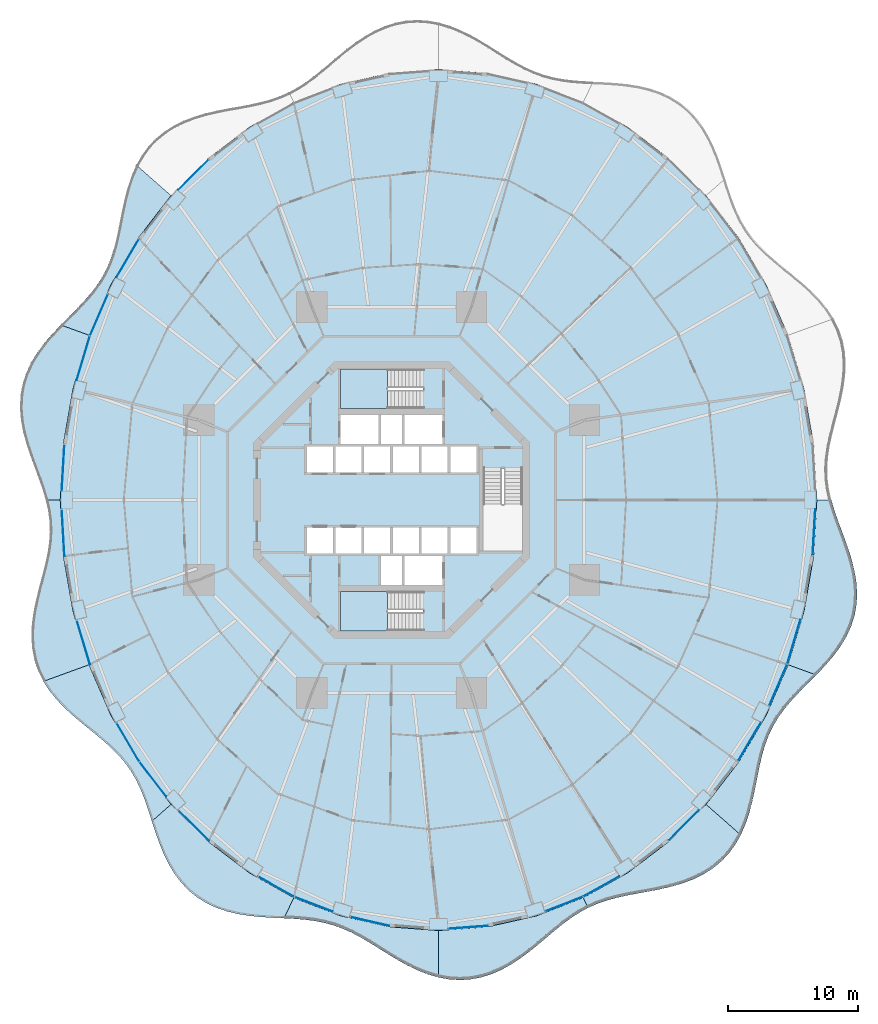
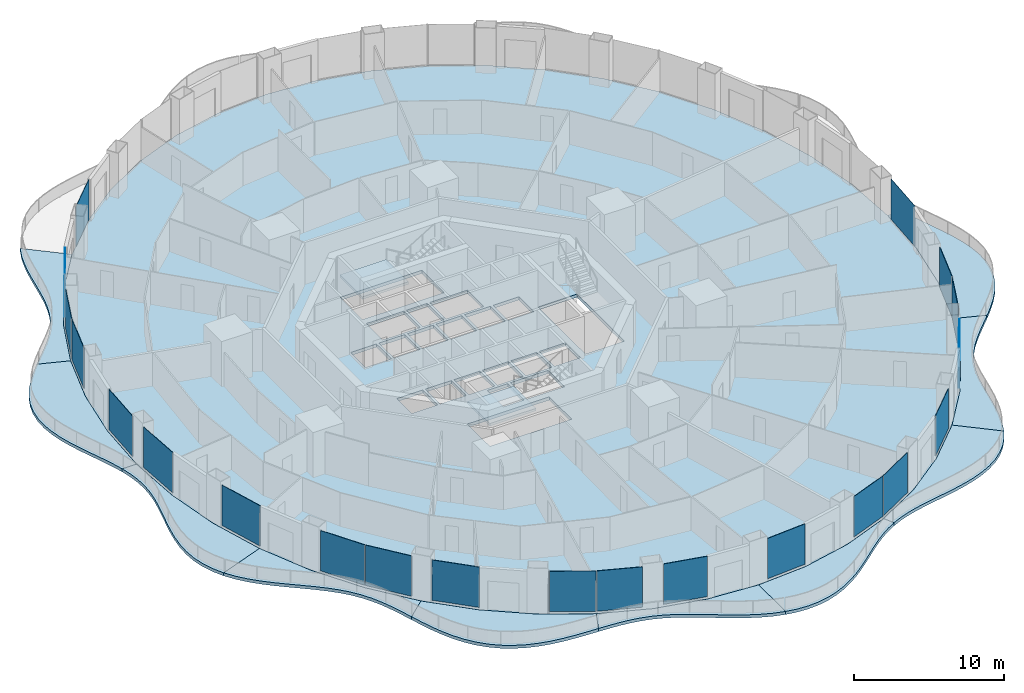
# One storey, part 12 of 22: 21 plates, 13 slabs, 23 elements without a shape of their own.
"""IFC4 building model written with IfcOpenShell, lengths in metres."""

from ifc_helpers import new_model, si_unit, direction, frame, origin, origin_2d, place, context, subcontext, project, spatial, polyline, rectangle, outline, extrude, material, layer, layer_set, type_object, element, aggregate, save


model = new_model("IFC4")

# Units and contexts
model_context = context("Model", 3, precision=1e-05, world=origin(), true_north=direction((0.0, 1.0)))
body_context = subcontext(model_context, "Body", "Model", "MODEL_VIEW")
ifc_project = project(units=[si_unit("LENGTHUNIT", "METRE"), si_unit("AREAUNIT", "SQUARE_METRE"), si_unit("VOLUMEUNIT", "CUBIC_METRE"), si_unit("PLANEANGLEUNIT", "RADIAN"), si_unit("MASSUNIT", "GRAM", prefix="KILO")], contexts=[model_context])

# Site, building, storey
site_placement = place(None, origin())
site = spatial("IfcSite", under=ifc_project, at=site_placement, CompositionType="ELEMENT")
building_placement = place(site_placement, origin())
building = spatial("IfcBuilding", under=site, at=building_placement, Name="Nagisa Residences", CompositionType="ELEMENT")
storey_placement = place(building_placement, frame((0.0, 0.0, 41.800048828125)))
storey = spatial("IfcBuildingStorey", under=building, at=storey_placement, Name="L09", CompositionType="ELEMENT", Elevation=41.800048828125)

# Slabs
ifc_material_1 = material(Name="Concrete C40/50", Category="concrete")
ifc_layer_1 = layer(ifc_material_1, 0.25)
ifc_layer_set_1 = layer_set([ifc_layer_1], Name="BALCONY SLAB 250")
slab_type_1 = type_object("IfcSlabType", Name="BALCONY SLAB 250", PredefinedType="FLOOR", material=ifc_layer_set_1)
slab_1_placement = place(storey_placement, frame((0.0, 0.0, -0.25)))
element("IfcSlab", 1, at=slab_1_placement, inside=storey, type_object=slab_type_1, Name="slab:L09:bal06", PredefinedType="FLOOR", context=body_context, shape_type="SweptSolid", body=[
    extrude(outline(polyline([(-19.564697265625, 25.6708984375), (-19.92626953125, 24.841796875), (-20.21728515625, 23.973388671875), (-20.45166015625, 23.082275390625), (-20.646240234375, 22.1845703125), (-20.821044921875, 21.294677734375), (-20.99609375, 20.426025390625), (-21.191162109375, 19.587890625), (-21.424072265625, 18.787109375), (-21.709228515625, 18.026123046875), (-22.056884765625, 17.304443359375), (-22.471923828125, 16.61767578125), (-22.9541015625, 15.959228515625), (-23.4970703125, 15.31982421875), (-24.089599609375, 14.689697265625), (-24.715087890625, 14.058349609375), (-25.35400390625, 13.415283203125), (-23.192626953125, 12.628662109375), (-21.5146484375, 16.5), (-19.4072265625, 20.089111328125), (-16.906005859375, 23.33447265625), (-19.564697265625, 25.6708984375)])), origin(), (0.0, 0.0, 1.0), 0.25),
])
slab_2_placement = place(storey_placement, frame((0.0, 0.0, -0.25)))
element("IfcSlab", 2, at=slab_2_placement, inside=storey, type_object=slab_type_1, Name="slab:L09:bal07", PredefinedType="FLOOR", context=body_context, shape_type="SweptSolid", body=[
    extrude(outline(polyline([(-25.35400390625, 13.415283203125), (-26.00390625, 12.730712890625), (-26.61962890625, 12.01708984375), (-27.17626953125, 11.269287109375), (-27.652099609375, 10.4853515625), (-28.029541015625, 9.66650390625), (-28.2958984375, 8.815673828125), (-28.4453125, 7.938720703125), (-28.478759765625, 7.042724609375), (-28.40380859375, 6.13623046875), (-28.234375, 5.2265625), (-27.989990234375, 4.321533203125), (-27.69384765625, 3.4267578125), (-27.371826171875, 2.54638671875), (-27.05029296875, 1.682373046875), (-26.75439453125, 0.83447265625), (-26.50634765625, 0.0), (-25.39990234375, 0.0), (-25.15185546875, 4.307373046875), (-24.411865234375, 8.541015625), (-23.192626953125, 12.628662109375), (-25.35400390625, 13.415283203125)])), origin(), (0.0, 0.0, 1.0), 0.25),
])
slab_3_placement = place(storey_placement, frame((0.0, 0.0, -0.25)))
element("IfcSlab", 3, at=slab_3_placement, inside=storey, type_object=slab_type_1, Name="slab:L09:bal08", PredefinedType="FLOOR", context=body_context, shape_type="SweptSolid", body=[
    extrude(outline(polyline([(-26.50634765625, 0.0), (-26.323974609375, -0.8251953125), (-26.21875, -1.646728515625), (-26.196044921875, -2.470703125), (-26.25390625, -3.302734375), (-26.384033203125, -4.148193359375), (-26.571044921875, -5.0107421875), (-26.795166015625, -5.891845703125), (-27.03271484375, -6.791259765625), (-27.2578125, -7.705322265625), (-27.4443359375, -8.62890625), (-27.56787109375, -9.554443359375), (-27.607666015625, -10.4736328125), (-27.546875, -11.376708984375), (-27.375, -12.254150390625), (-27.08837890625, -13.097900390625), (-26.689453125, -13.9013671875), (-23.192626953125, -12.628662109375), (-24.411865234375, -8.541015625), (-25.15185546875, -4.307373046875), (-25.39990234375, 0.0), (-26.50634765625, 0.0)])), origin(), (0.0, 0.0, 1.0), 0.25),
])
slab_4_placement = place(storey_placement, frame((0.0, 0.0, -0.25)))
element("IfcSlab", 4, at=slab_4_placement, inside=storey, type_object=slab_type_1, Name="slab:L09:bal09", PredefinedType="FLOOR", context=body_context, shape_type="SweptSolid", body=[
    extrude(outline(polyline([(-26.689453125, -13.9013671875), (-26.20458984375, -14.6376953125), (-25.636474609375, -15.331298828125), (-25.003173828125, -15.98388671875), (-24.3251953125, -16.6005859375), (-23.624267578125, -17.18896484375), (-22.922607421875, -17.75830078125), (-22.24072265625, -18.320556640625), (-21.59619140625, -18.8876953125), (-21.002685546875, -19.4716796875), (-20.46923828125, -20.083984375), (-19.9990234375, -20.733154296875), (-19.590576171875, -21.425537109375), (-19.236572265625, -22.163818359375), (-18.925537109375, -22.94677734375), (-18.642333984375, -23.7685546875), (-18.369384765625, -24.620361328125), (-16.906005859375, -23.33447265625), (-19.4072265625, -20.089111328125), (-21.5146484375, -16.5), (-23.192626953125, -12.628662109375), (-26.689453125, -13.9013671875)])), origin(), (0.0, 0.0, 1.0), 0.25),
])
slab_5_placement = place(storey_placement, frame((0.0, 0.0, -0.25)))
element("IfcSlab", 5, at=slab_5_placement, inside=storey, type_object=slab_type_1, Name="slab:L09:bal10", PredefinedType="FLOOR", context=body_context, shape_type="SweptSolid", body=[
    extrude(outline(polyline([(-18.369384765625, -24.620361328125), (-18.101318359375, -25.4482421875), (-17.809326171875, -26.277587890625), (-17.478271484375, -27.09375), (-17.095458984375, -27.880859375), (-16.6513671875, -28.623046875), (-16.13916015625, -29.306396484375), (-15.55615234375, -29.91845703125), (-14.904052734375, -30.450439453125), (-14.18701171875, -30.897216796875), (-13.413330078125, -31.25732421875), (-12.59375, -31.534423828125), (-11.739990234375, -31.73583984375), (-10.865234375, -31.873046875), (-9.982177734375, -31.960693359375), (-9.10302734375, -32.01611328125), (-8.237548828125, -32.0576171875), (-7.497802734375, -30.488037109375), (-10.89990234375, -28.578857421875), (-14.05419921875, -26.1806640625), (-16.906005859375, -23.33447265625), (-18.369384765625, -24.620361328125)])), origin(), (0.0, 0.0, 1.0), 0.25),
])
slab_6_placement = place(storey_placement, frame((0.0, 0.0, -0.25)))
element("IfcSlab", 6, at=slab_6_placement, inside=storey, type_object=slab_type_1, Name="slab:L09:bal11", PredefinedType="FLOOR", context=body_context, shape_type="SweptSolid", body=[
    extrude(outline(polyline([(-8.237548828125, -32.0576171875), (-7.423828125, -32.101806640625), (-6.634521484375, -32.166259765625), (-5.871337890625, -32.264892578125), (-5.134033203125, -32.408935546875), (-4.419189453125, -32.606201171875), (-3.721923828125, -32.860107421875), (-3.0361328125, -33.17041015625), (-2.354736328125, -33.53173828125), (-1.669921875, -33.93505859375), (-0.97509765625, -34.3671875), (-0.2646484375, -34.812744140625), (0.4658203125, -35.25341796875), (1.21826171875, -35.670166015625), (1.9931640625, -36.0439453125), (2.788330078125, -36.35693359375), (3.60009765625, -36.593505859375), (3.60009765625, -33.0), (-0.185302734375, -32.7177734375), (-3.90576171875, -31.87548828125), (-7.497802734375, -30.488037109375), (-8.237548828125, -32.0576171875)])), origin(), (0.0, 0.0, 1.0), 0.25),
])
slab_7_placement = place(storey_placement, frame((0.0, 0.0, -0.25)))
element("IfcSlab", 7, at=slab_7_placement, inside=storey, type_object=slab_type_1, Name="slab:L09:bal12", PredefinedType="FLOOR", context=body_context, shape_type="SweptSolid", body=[
    extrude(outline(polyline([(3.60009765625, -36.593505859375), (4.42236328125, -36.740966796875), (5.248779296875, -36.790771484375), (6.072021484375, -36.73828125), (6.884521484375, -36.583740234375), (7.679443359375, -36.33251953125), (8.451416015625, -35.9931640625), (9.1962890625, -35.57861328125), (9.91259765625, -35.10498046875), (10.600830078125, -34.589599609375), (11.26318359375, -34.051513671875), (11.90478515625, -33.509521484375), (12.531982421875, -32.98095703125), (13.15283203125, -32.48095703125), (13.775634765625, -32.02197265625), (14.408935546875, -31.61279296875), (15.060791015625, -31.2578125), (14.69775390625, -30.488037109375), (11.105712890625, -31.87548828125), (7.38525390625, -32.7177734375), (3.60009765625, -33.0), (3.60009765625, -36.593505859375)])), origin(), (0.0, 0.0, 1.0), 0.25),
])
slab_8_placement = place(storey_placement, frame((0.0, 0.0, -0.25)))
element("IfcSlab", 8, at=slab_8_placement, inside=storey, type_object=slab_type_1, Name="slab:L09:bal13", PredefinedType="FLOOR", context=body_context, shape_type="SweptSolid", body=[
    extrude(outline(polyline([(15.060791015625, -31.2578125), (15.76318359375, -30.947509765625), (16.497314453125, -30.691650390625), (17.265625, -30.482177734375), (18.06689453125, -30.306396484375), (18.89697265625, -30.14990234375), (19.748291015625, -29.995361328125), (20.61083984375, -29.82568359375), (21.47216796875, -29.623779296875), (22.318359375, -29.374755859375), (23.134765625, -29.065185546875), (23.907470703125, -28.68603515625), (24.62353515625, -28.230712890625), (25.27294921875, -27.69775390625), (25.847900390625, -27.089111328125), (26.344970703125, -26.41064453125), (26.7646484375, -25.6708984375), (24.106201171875, -23.33447265625), (21.254150390625, -26.1806640625), (18.10009765625, -28.578857421875), (14.69775390625, -30.488037109375), (15.060791015625, -31.2578125)])), origin(), (0.0, 0.0, 1.0), 0.25),
])
slab_9_placement = place(storey_placement, frame((0.0, 0.0, -0.25)))
element("IfcSlab", 9, at=slab_9_placement, inside=storey, type_object=slab_type_1, Name="slab:L09:bal14", PredefinedType="FLOOR", context=body_context, shape_type="SweptSolid", body=[
    extrude(outline(polyline([(26.7646484375, -25.6708984375), (27.126220703125, -24.841796875), (27.417236328125, -23.973388671875), (27.651611328125, -23.082275390625), (27.846435546875, -22.1845703125), (28.02099609375, -21.294677734375), (28.1962890625, -20.426025390625), (28.391357421875, -19.587890625), (28.6240234375, -18.787109375), (28.9091796875, -18.026123046875), (29.2568359375, -17.304443359375), (29.672119140625, -16.61767578125), (30.154296875, -15.959228515625), (30.697265625, -15.31982421875), (31.28955078125, -14.689697265625), (31.9150390625, -14.058349609375), (32.553955078125, -13.415283203125), (30.392578125, -12.628662109375), (28.71484375, -16.5), (26.607177734375, -20.089111328125), (24.106201171875, -23.33447265625), (26.7646484375, -25.6708984375)])), origin(), (0.0, 0.0, 1.0), 0.25),
])
slab_10_placement = place(storey_placement, frame((0.0, 0.0, -0.25)))
element("IfcSlab", 10, at=slab_10_placement, inside=storey, type_object=slab_type_1, Name="slab:L09:bal15", PredefinedType="FLOOR", context=body_context, shape_type="SweptSolid", body=[
    extrude(outline(polyline([(32.553955078125, -13.415283203125), (33.2041015625, -12.730712890625), (33.819580078125, -12.01708984375), (34.376220703125, -11.269287109375), (34.85205078125, -10.4853515625), (35.2294921875, -9.66650390625), (35.495849609375, -8.815673828125), (35.6455078125, -7.938720703125), (35.678955078125, -7.042724609375), (35.603759765625, -6.13623046875), (35.4345703125, -5.2265625), (35.18994140625, -4.321533203125), (34.893798828125, -3.4267578125), (34.57177734375, -2.54638671875), (34.250244140625, -1.682373046875), (33.954345703125, -0.83447265625), (33.70654296875, 0.0), (32.60009765625, 0.0), (32.351806640625, -4.307373046875), (31.61181640625, -8.541015625), (30.392578125, -12.628662109375), (32.553955078125, -13.415283203125)])), origin(), (0.0, 0.0, 1.0), 0.25),
])

# Curtain wall, plate
ifc_material_2 = material(Name="Concrete-coloured aluminium curtain wall system", Category="concrete")
ifc_layer_2 = layer(ifc_material_2, 0.159912109375)
ifc_layer_set_2 = layer_set([ifc_layer_2], Name="CW1 CURTAIN WALL")
curtain_wall_type = type_object("IfcCurtainWallType", Name="CW1 CURTAIN WALL", PredefinedType="NOTDEFINED", material=ifc_layer_set_2)
curtain_wall_1_placement = place(storey_placement, origin())
curtain_wall_1 = element("IfcCurtainWall", 11, at=curtain_wall_1_placement, inside=storey, type_object=curtain_wall_type, Name="cw:CW1:L09:17", PredefinedType="NOTDEFINED")
ifc_material_3 = material(Name="Clear laminated glass", Category="glass")
ifc_layer_3 = layer(ifc_material_3, 0.028076171875)
ifc_layer_set_3 = layer_set([ifc_layer_3], Name="CW1 GLASS PANEL")
plate_type = type_object("IfcPlateType", Name="CW1 GLASS PANEL", PredefinedType="CURTAIN_PANEL", material=ifc_layer_set_3)
plate_1_placement = place(storey_placement, frame((-15.197021484375, 24.927001953125, 0.14990234375), z_axis=(0.0, 0.0, 1.0), x_axis=(-0.707835924016, -0.706376885714, 0.0)))
plate_1 = element("IfcPlate", 12, at=plate_1_placement, type_object=plate_type, Name="CW1 panel", PredefinedType="CURTAIN_PANEL", context=body_context, shape_type="SweptSolid", body=[
    extrude(rectangle(XDim=3.269287109375, YDim=0.028076171875, at=origin_2d()), origin(), (0.0, 0.0, 1.0), 3.2900390625),
])
aggregate(curtain_wall_1, [plate_1])

curtain_wall_2_placement = place(storey_placement, origin())
curtain_wall_2 = element("IfcCurtainWall", 13, at=curtain_wall_2_placement, inside=storey, type_object=curtain_wall_type, Name="cw:CW1:L09:19", PredefinedType="NOTDEFINED")
plate_2_placement = place(storey_placement, frame((-20.22998046875, 18.530029296875, 0.14990234375), z_axis=(0.0, 0.0, 1.0), x_axis=(-0.506348567002, -0.862328898214, 0.0)))
plate_2 = element("IfcPlate", 14, at=plate_2_placement, type_object=plate_type, Name="CW1 panel", PredefinedType="CURTAIN_PANEL", context=body_context, shape_type="SweptSolid", body=[
    extrude(rectangle(XDim=3.402099609375, YDim=0.028076171875, at=origin_2d()), origin(), (0.0, 0.0, 1.0), 3.2900390625),
])
aggregate(curtain_wall_2, [plate_2])

curtain_wall_3_placement = place(storey_placement, origin())
curtain_wall_3 = element("IfcCurtainWall", 15, at=curtain_wall_3_placement, inside=storey, type_object=curtain_wall_type, Name="cw:CW1:L09:20", PredefinedType="NOTDEFINED")
plate_3_placement = place(storey_placement, frame((-22.431396484375, 14.183837890625, 0.14990234375), z_axis=(0.0, 0.0, 1.0), x_axis=(-0.397635934147, -0.917543276295, 0.0)))
plate_3 = element("IfcPlate", 16, at=plate_3_placement, type_object=plate_type, Name="CW1 panel", PredefinedType="CURTAIN_PANEL", context=body_context, shape_type="SweptSolid", body=[
    extrude(rectangle(XDim=3.45947265625, YDim=0.028076171875, at=origin_2d()), origin(), (0.0, 0.0, 1.0), 3.2900390625),
])
aggregate(curtain_wall_3, [plate_3])

curtain_wall_4_placement = place(storey_placement, origin())
curtain_wall_4 = element("IfcCurtainWall", 17, at=curtain_wall_4_placement, inside=storey, type_object=curtain_wall_type, Name="cw:CW1:L09:21", PredefinedType="NOTDEFINED")
plate_4_placement = place(storey_placement, frame((-23.634033203125, 10.86865234375, 0.14990234375), z_axis=(0.0, 0.0, 1.0), x_axis=(-0.285860274038, -0.958271310082, 0.0)))
plate_4 = element("IfcPlate", 18, at=plate_4_placement, type_object=plate_type, Name="CW1 panel", PredefinedType="CURTAIN_PANEL", context=body_context, shape_type="SweptSolid", body=[
    extrude(rectangle(XDim=3.505615234375, YDim=0.028076171875, at=origin_2d()), origin(), (0.0, 0.0, 1.0), 3.2900390625),
])
aggregate(curtain_wall_4, [plate_4])

curtain_wall_5_placement = place(storey_placement, origin())
curtain_wall_5 = element("IfcCurtainWall", 19, at=curtain_wall_5_placement, inside=storey, type_object=curtain_wall_type, Name="cw:CW1:L09:23", PredefinedType="NOTDEFINED")
plate_5_placement = place(storey_placement, frame((-25.177734375, 2.468505859375, 0.14990234375), z_axis=(0.0, 0.0, 1.0), x_axis=(-0.057503492216, -0.998345305184, 0.0)))
plate_5 = element("IfcPlate", 20, at=plate_5_placement, type_object=plate_type, Name="CW1 panel", PredefinedType="CURTAIN_PANEL", context=body_context, shape_type="SweptSolid", body=[
    extrude(rectangle(XDim=3.554443359375, YDim=0.028076171875, at=origin_2d()), origin(), (0.0, 0.0, 1.0), 3.2900390625),
])
aggregate(curtain_wall_5, [plate_5])

curtain_wall_6_placement = place(storey_placement, origin())
curtain_wall_6 = element("IfcCurtainWall", 21, at=curtain_wall_6_placement, inside=storey, type_object=curtain_wall_type, Name="cw:CW1:L09:24", PredefinedType="NOTDEFINED")
plate_6_placement = place(storey_placement, frame((-25.17431640625, -2.528564453125, 0.14990234375), z_axis=(0.0, 0.0, 1.0), x_axis=(0.057503492216, -0.998345305184, 0.0)))
plate_6 = element("IfcPlate", 22, at=plate_6_placement, type_object=plate_type, Name="CW1 panel", PredefinedType="CURTAIN_PANEL", context=body_context, shape_type="SweptSolid", body=[
    extrude(rectangle(XDim=3.554443359375, YDim=0.028076171875, at=origin_2d()), origin(), (0.0, 0.0, 1.0), 3.2900390625),
])
aggregate(curtain_wall_6, [plate_6])

curtain_wall_7_placement = place(storey_placement, origin())
curtain_wall_7 = element("IfcCurtainWall", 23, at=curtain_wall_7_placement, inside=storey, type_object=curtain_wall_type, Name="cw:CW1:L09:26", PredefinedType="NOTDEFINED")
plate_7_placement = place(storey_placement, frame((-23.616943359375, -10.926025390625, 0.14990234375), z_axis=(0.0, 0.0, 1.0), x_axis=(0.285860274038, -0.958271310082, 0.0)))
plate_7 = element("IfcPlate", 24, at=plate_7_placement, type_object=plate_type, Name="CW1 panel", PredefinedType="CURTAIN_PANEL", context=body_context, shape_type="SweptSolid", body=[
    extrude(rectangle(XDim=3.505615234375, YDim=0.028076171875, at=origin_2d()), origin(), (0.0, 0.0, 1.0), 3.2900390625),
])
aggregate(curtain_wall_7, [plate_7])

curtain_wall_8_placement = place(storey_placement, origin())
curtain_wall_8 = element("IfcCurtainWall", 25, at=curtain_wall_8_placement, inside=storey, type_object=curtain_wall_type, Name="cw:CW1:L09:28", PredefinedType="NOTDEFINED")
plate_8_placement = place(storey_placement, frame((-20.19970703125, -18.581787109375, 0.14990234375), z_axis=(0.0, 0.0, 1.0), x_axis=(0.506348567002, -0.862328898214, 0.0)))
plate_8 = element("IfcPlate", 26, at=plate_8_placement, type_object=plate_type, Name="CW1 panel", PredefinedType="CURTAIN_PANEL", context=body_context, shape_type="SweptSolid", body=[
    extrude(rectangle(XDim=3.402099609375, YDim=0.028076171875, at=origin_2d()), origin(), (0.0, 0.0, 1.0), 3.2900390625),
])
aggregate(curtain_wall_8, [plate_8])

curtain_wall_9_placement = place(storey_placement, origin())
curtain_wall_9 = element("IfcCurtainWall", 27, at=curtain_wall_9_placement, inside=storey, type_object=curtain_wall_type, Name="cw:CW1:L09:29", PredefinedType="NOTDEFINED")
plate_9_placement = place(storey_placement, frame((-18.28857421875, -21.409423828125, 0.14990234375), z_axis=(0.0, 0.0, 1.0), x_axis=(0.610429828235, -0.792070340816, 0.0)))
plate_9 = element("IfcPlate", 28, at=plate_9_placement, type_object=plate_type, Name="CW1 panel", PredefinedType="CURTAIN_PANEL", context=body_context, shape_type="SweptSolid", body=[
    extrude(rectangle(XDim=3.33740234375, YDim=0.028076171875, at=origin_2d()), origin(), (0.0, 0.0, 1.0), 3.2900390625),
])
aggregate(curtain_wall_9, [plate_9])

curtain_wall_10_placement = place(storey_placement, origin())
curtain_wall_10 = element("IfcCurtainWall", 29, at=curtain_wall_10_placement, inside=storey, type_object=curtain_wall_type, Name="cw:CW1:L09:30", PredefinedType="NOTDEFINED")
plate_10_placement = place(storey_placement, frame((-15.154541015625, -24.969482421875, 0.14990234375), z_axis=(0.0, 0.0, 1.0), x_axis=(0.707835924016, -0.706376885714, 0.0)))
plate_10 = element("IfcPlate", 30, at=plate_10_placement, type_object=plate_type, Name="CW1 panel", PredefinedType="CURTAIN_PANEL", context=body_context, shape_type="SweptSolid", body=[
    extrude(rectangle(XDim=3.269287109375, YDim=0.028076171875, at=origin_2d()), origin(), (0.0, 0.0, 1.0), 3.2900390625),
])
aggregate(curtain_wall_10, [plate_10])

curtain_wall_11_placement = place(storey_placement, origin())
curtain_wall_11 = element("IfcCurtainWall", 31, at=curtain_wall_11_placement, inside=storey, type_object=curtain_wall_type, Name="cw:CW1:L09:32", PredefinedType="NOTDEFINED")
plate_11_placement = place(storey_placement, frame((-8.828369140625, -29.649658203125, 0.14990234375), z_axis=(0.0, 0.0, 1.0), x_axis=(0.872072377523, -0.489376918501, 0.0)))
plate_11 = element("IfcPlate", 32, at=plate_11_placement, type_object=plate_type, Name="CW1 panel", PredefinedType="CURTAIN_PANEL", context=body_context, shape_type="SweptSolid", body=[
    extrude(rectangle(XDim=3.141357421875, YDim=0.028076171875, at=origin_2d()), origin(), (0.0, 0.0, 1.0), 3.2900390625),
])
aggregate(curtain_wall_11, [plate_11])

curtain_wall_12_placement = place(storey_placement, origin())
curtain_wall_12 = element("IfcCurtainWall", 33, at=curtain_wall_12_placement, inside=storey, type_object=curtain_wall_type, Name="cw:CW1:L09:33", PredefinedType="NOTDEFINED")
plate_12_placement = place(storey_placement, frame((-5.971435546875, -30.991943359375, 0.14990234375), z_axis=(0.0, 0.0, 1.0), x_axis=(0.932825759707, -0.360327770268, 0.0)))
plate_12 = element("IfcPlate", 34, at=plate_12_placement, type_object=plate_type, Name="CW1 panel", PredefinedType="CURTAIN_PANEL", context=body_context, shape_type="SweptSolid", body=[
    extrude(rectangle(XDim=3.0908203125, YDim=0.028076171875, at=origin_2d()), origin(), (0.0, 0.0, 1.0), 3.2900390625),
])
aggregate(curtain_wall_12, [plate_12])

curtain_wall_13_placement = place(storey_placement, origin())
curtain_wall_13 = element("IfcCurtainWall", 35, at=curtain_wall_13_placement, inside=storey, type_object=curtain_wall_type, Name="cw:CW1:L09:34", PredefinedType="NOTDEFINED")
plate_13_placement = place(storey_placement, frame((-1.6572265625, -32.302490234375, 0.14990234375), z_axis=(0.0, 0.0, 1.0), x_axis=(0.975327274089, -0.2207639201, 0.0)))
plate_13 = element("IfcPlate", 36, at=plate_13_placement, type_object=plate_type, Name="CW1 panel", PredefinedType="CURTAIN_PANEL", context=body_context, shape_type="SweptSolid", body=[
    extrude(rectangle(XDim=3.0546875, YDim=0.028076171875, at=origin_2d()), origin(), (0.0, 0.0, 1.0), 3.2900390625),
])
aggregate(curtain_wall_13, [plate_13])

curtain_wall_14_placement = place(storey_placement, origin())
curtain_wall_14 = element("IfcCurtainWall", 37, at=curtain_wall_14_placement, inside=storey, type_object=curtain_wall_type, Name="cw:CW1:L09:36", PredefinedType="NOTDEFINED")
plate_14_placement = place(storey_placement, frame((5.86572265625, -32.750732421875, 0.14990234375), z_axis=(0.0, 0.0, 1.0), x_axis=(0.997230168512, 0.074377355493, 0.0)))
plate_14 = element("IfcPlate", 38, at=plate_14_placement, type_object=plate_type, Name="CW1 panel", PredefinedType="CURTAIN_PANEL", context=body_context, shape_type="SweptSolid", body=[
    extrude(rectangle(XDim=3.035888671875, YDim=0.028076171875, at=origin_2d()), origin(), (0.0, 0.0, 1.0), 3.2900390625),
])
aggregate(curtain_wall_14, [plate_14])

curtain_wall_15_placement = place(storey_placement, origin())
curtain_wall_15 = element("IfcCurtainWall", 39, at=curtain_wall_15_placement, inside=storey, type_object=curtain_wall_type, Name="cw:CW1:L09:38", PredefinedType="NOTDEFINED")
plate_15_placement = place(storey_placement, frame((13.2275390625, -30.97021484375, 0.14990234375), z_axis=(0.0, 0.0, 1.0), x_axis=(0.932825759707, 0.360327770268, 0.0)))
plate_15 = element("IfcPlate", 40, at=plate_15_placement, type_object=plate_type, Name="CW1 panel", PredefinedType="CURTAIN_PANEL", context=body_context, shape_type="SweptSolid", body=[
    extrude(rectangle(XDim=3.0908203125, YDim=0.028076171875, at=origin_2d()), origin(), (0.0, 0.0, 1.0), 3.2900390625),
])
aggregate(curtain_wall_15, [plate_15])

curtain_wall_16_placement = place(storey_placement, origin())
curtain_wall_16 = element("IfcCurtainWall", 41, at=curtain_wall_16_placement, inside=storey, type_object=curtain_wall_type, Name="cw:CW1:L09:39", PredefinedType="NOTDEFINED")
plate_16_placement = place(storey_placement, frame((16.080810546875, -29.620361328125, 0.14990234375), z_axis=(0.0, 0.0, 1.0), x_axis=(0.872072377523, 0.489376918501, 0.0)))
plate_16 = element("IfcPlate", 42, at=plate_16_placement, type_object=plate_type, Name="CW1 panel", PredefinedType="CURTAIN_PANEL", context=body_context, shape_type="SweptSolid", body=[
    extrude(rectangle(XDim=3.141357421875, YDim=0.028076171875, at=origin_2d()), origin(), (0.0, 0.0, 1.0), 3.2900390625),
])
aggregate(curtain_wall_16, [plate_16])

curtain_wall_17_placement = place(storey_placement, origin())
curtain_wall_17 = element("IfcCurtainWall", 43, at=curtain_wall_17_placement, inside=storey, type_object=curtain_wall_type, Name="cw:CW1:L09:41", PredefinedType="NOTDEFINED")
plate_17_placement = place(storey_placement, frame((22.39697265625, -24.927001953125, 0.14990234375), z_axis=(0.0, 0.0, 1.0), x_axis=(0.707835924016, 0.706376885714, 0.0)))
plate_17 = element("IfcPlate", 44, at=plate_17_placement, type_object=plate_type, Name="CW1 panel", PredefinedType="CURTAIN_PANEL", context=body_context, shape_type="SweptSolid", body=[
    extrude(rectangle(XDim=3.269287109375, YDim=0.028076171875, at=origin_2d()), origin(), (0.0, 0.0, 1.0), 3.2900390625),
])
aggregate(curtain_wall_17, [plate_17])

curtain_wall_18_placement = place(storey_placement, origin())
curtain_wall_18 = element("IfcCurtainWall", 45, at=curtain_wall_18_placement, inside=storey, type_object=curtain_wall_type, Name="cw:CW1:L09:43", PredefinedType="NOTDEFINED")
plate_18_placement = place(storey_placement, frame((27.429931640625, -18.530029296875, 0.14990234375), z_axis=(0.0, 0.0, 1.0), x_axis=(0.506348567002, 0.862328898214, 0.0)))
plate_18 = element("IfcPlate", 46, at=plate_18_placement, type_object=plate_type, Name="CW1 panel", PredefinedType="CURTAIN_PANEL", context=body_context, shape_type="SweptSolid", body=[
    extrude(rectangle(XDim=3.402099609375, YDim=0.028076171875, at=origin_2d()), origin(), (0.0, 0.0, 1.0), 3.2900390625),
])
aggregate(curtain_wall_18, [plate_18])

curtain_wall_19_placement = place(storey_placement, origin())
curtain_wall_19 = element("IfcCurtainWall", 47, at=curtain_wall_19_placement, inside=storey, type_object=curtain_wall_type, Name="cw:CW1:L09:44", PredefinedType="NOTDEFINED")
plate_19_placement = place(storey_placement, frame((29.63134765625, -14.183837890625, 0.14990234375), z_axis=(0.0, 0.0, 1.0), x_axis=(0.397635934147, 0.917543276295, 0.0)))
plate_19 = element("IfcPlate", 48, at=plate_19_placement, type_object=plate_type, Name="CW1 panel", PredefinedType="CURTAIN_PANEL", context=body_context, shape_type="SweptSolid", body=[
    extrude(rectangle(XDim=3.45947265625, YDim=0.028076171875, at=origin_2d()), origin(), (0.0, 0.0, 1.0), 3.2900390625),
])
aggregate(curtain_wall_19, [plate_19])

curtain_wall_20_placement = place(storey_placement, origin())
curtain_wall_20 = element("IfcCurtainWall", 49, at=curtain_wall_20_placement, inside=storey, type_object=curtain_wall_type, Name="cw:CW1:L09:45", PredefinedType="NOTDEFINED")
plate_20_placement = place(storey_placement, frame((30.833984375, -10.86865234375, 0.14990234375), z_axis=(0.0, 0.0, 1.0), x_axis=(0.285860274038, 0.958271310082, 0.0)))
plate_20 = element("IfcPlate", 50, at=plate_20_placement, type_object=plate_type, Name="CW1 panel", PredefinedType="CURTAIN_PANEL", context=body_context, shape_type="SweptSolid", body=[
    extrude(rectangle(XDim=3.505615234375, YDim=0.028076171875, at=origin_2d()), origin(), (0.0, 0.0, 1.0), 3.2900390625),
])
aggregate(curtain_wall_20, [plate_20])

curtain_wall_21_placement = place(storey_placement, origin())
curtain_wall_21 = element("IfcCurtainWall", 51, at=curtain_wall_21_placement, inside=storey, type_object=curtain_wall_type, Name="cw:CW1:L09:47", PredefinedType="NOTDEFINED")
plate_21_placement = place(storey_placement, frame((32.377685546875, -2.468505859375, 0.14990234375), z_axis=(0.0, 0.0, 1.0), x_axis=(0.057503492216, 0.998345305184, 0.0)))
plate_21 = element("IfcPlate", 52, at=plate_21_placement, type_object=plate_type, Name="CW1 panel", PredefinedType="CURTAIN_PANEL", context=body_context, shape_type="SweptSolid", body=[
    extrude(rectangle(XDim=3.554443359375, YDim=0.028076171875, at=origin_2d()), origin(), (0.0, 0.0, 1.0), 3.2900390625),
])
aggregate(curtain_wall_21, [plate_21])

# Slab
ifc_material_4 = material(Name="Concrete C40", Category="concrete")
ifc_layer_4 = layer(ifc_material_4, 0.260009765625)
ifc_layer_set_4 = layer_set([ifc_layer_4], Name="Floor slab 260")
slab_type_2 = type_object("IfcSlabType", Name="Floor slab 260", PredefinedType="FLOOR", material=ifc_layer_set_4)
slab_11_placement = place(storey_placement, frame((0.0, 0.0, -0.260009765625)))
element("IfcSlab", 53, at=slab_11_placement, inside=storey, type_object=slab_type_2, Name="slab:L09:floor", PredefinedType="FLOOR", context=body_context, shape_type="SweptSolid", body=[
    extrude(outline(polyline([(32.60009765625, 0.0), (32.351806640625, 4.307373046875), (31.61181640625, 8.541015625), (30.392578125, 12.628662109375), (28.71484375, 16.5), (26.607177734375, 20.089111328125), (24.106201171875, 23.33447265625), (21.254150390625, 26.1806640625), (18.10009765625, 28.578857421875), (14.69775390625, 30.488037109375), (11.105712890625, 31.87548828125), (7.38525390625, 32.7177734375), (3.60009765625, 33.0), (-0.185302734375, 32.7177734375), (-3.90576171875, 31.87548828125), (-7.497802734375, 30.488037109375), (-10.89990234375, 28.578857421875), (-14.05419921875, 26.1806640625), (-16.906005859375, 23.33447265625), (-19.4072265625, 20.089111328125), (-21.5146484375, 16.5), (-23.192626953125, 12.628662109375), (-24.411865234375, 8.541015625), (-25.15185546875, 4.307373046875), (-25.39990234375, 0.0), (-25.15185546875, -4.307373046875), (-24.411865234375, -8.541015625), (-23.192626953125, -12.628662109375), (-21.5146484375, -16.5), (-19.4072265625, -20.089111328125), (-16.906005859375, -23.33447265625), (-14.05419921875, -26.1806640625), (-10.89990234375, -28.578857421875), (-7.497802734375, -30.488037109375), (-3.90576171875, -31.87548828125), (-0.185302734375, -32.7177734375), (3.60009765625, -33.0), (7.38525390625, -32.7177734375), (11.105712890625, -31.87548828125), (14.69775390625, -30.488037109375), (18.10009765625, -28.578857421875), (21.254150390625, -26.1806640625), (24.106201171875, -23.33447265625), (26.607177734375, -20.089111328125), (28.71484375, -16.5), (30.392578125, -12.628662109375), (31.61181640625, -8.541015625), (32.351806640625, -4.307373046875), (32.60009765625, 0.0)]), holes=[polyline([(-4.5, 2.10009765625), (-4.5, 4.10009765625), (-6.5, 4.10009765625), (-6.5, 2.10009765625), (-4.5, 2.10009765625)]), polyline([(-2.300048828125, 2.10009765625), (-2.300048828125, 4.10009765625), (-4.300048828125, 4.10009765625), (-4.300048828125, 2.10009765625), (-2.300048828125, 2.10009765625)]), polyline([(-0.10009765625, 2.10009765625), (-0.10009765625, 4.10009765625), (-2.10009765625, 4.10009765625), (-2.10009765625, 2.10009765625), (-0.10009765625, 2.10009765625)]), polyline([(2.10009765625, 2.10009765625), (2.10009765625, 4.10009765625), (0.10009765625, 4.10009765625), (0.10009765625, 2.10009765625), (2.10009765625, 2.10009765625)]), polyline([(4.300048828125, 2.10009765625), (4.300048828125, 4.10009765625), (2.300048828125, 4.10009765625), (2.300048828125, 2.10009765625), (4.300048828125, 2.10009765625)]), polyline([(6.5, 2.10009765625), (6.5, 4.10009765625), (4.5, 4.10009765625), (4.5, 2.10009765625), (6.5, 2.10009765625)]), polyline([(-4.5, -4.10009765625), (-4.5, -2.10009765625), (-6.5, -2.10009765625), (-6.5, -4.10009765625), (-4.5, -4.10009765625)]), polyline([(-2.300048828125, -4.10009765625), (-2.300048828125, -2.10009765625), (-4.300048828125, -2.10009765625), (-4.300048828125, -4.10009765625), (-2.300048828125, -4.10009765625)]), polyline([(-0.10009765625, -4.10009765625), (-0.10009765625, -2.10009765625), (-2.10009765625, -2.10009765625), (-2.10009765625, -4.10009765625), (-0.10009765625, -4.10009765625)]), polyline([(2.10009765625, -4.10009765625), (2.10009765625, -2.10009765625), (0.10009765625, -2.10009765625), (0.10009765625, -4.10009765625), (2.10009765625, -4.10009765625)]), polyline([(4.300048828125, -4.10009765625), (4.300048828125, -2.10009765625), (2.300048828125, -2.10009765625), (2.300048828125, -4.10009765625), (4.300048828125, -4.10009765625)]), polyline([(6.5, -4.10009765625), (6.5, -2.10009765625), (4.5, -2.10009765625), (4.5, -4.10009765625), (6.5, -4.10009765625)]), polyline([(3.89990234375, 4.300048828125), (3.89990234375, 6.5), (1.0, 6.5), (1.0, 4.300048828125), (3.89990234375, 4.300048828125)]), polyline([(3.89990234375, -6.5), (3.89990234375, -4.300048828125), (1.0, -4.300048828125), (1.0, -6.5), (3.89990234375, -6.5)]), polyline([(-1.0, 4.300048828125), (-1.0, 6.5), (-3.89990234375, 6.5), (-3.89990234375, 4.300048828125), (-1.0, 4.300048828125)]), polyline([(0.800048828125, 4.300048828125), (0.800048828125, 6.5), (-0.800048828125, 6.5), (-0.800048828125, 4.300048828125), (0.800048828125, 4.300048828125)]), polyline([(0.800048828125, -6.5), (0.800048828125, -4.300048828125), (-0.800048828125, -4.300048828125), (-0.800048828125, -6.5), (0.800048828125, -6.5)]), polyline([(10.024658203125, -3.89990234375), (7.024658203125, -3.89990234375), (7.024658203125, 2.425048828125), (10.024658203125, 2.425048828125), (10.024658203125, -3.89990234375)]), polyline([(-3.89990234375, 7.024658203125), (-3.89990234375, 10.024658203125), (2.425048828125, 10.024658203125), (2.425048828125, 7.024658203125), (-3.89990234375, 7.024658203125)]), polyline([(-3.89990234375, -10.024658203125), (-3.89990234375, -7.024658203125), (2.425048828125, -7.024658203125), (2.425048828125, -10.024658203125), (-3.89990234375, -10.024658203125)])]), origin(), (0.0, 0.0, 1.0), 0.260009765625),
])

# Stair, slab
ifc_material_5 = material(Name="Concrete C60", Category="concrete")
stair_type = type_object("IfcStairType", Name="Exit stair", PredefinedType="HALF_TURN_STAIR", material=ifc_material_5)
stair_1_placement = place(storey_placement, origin())
stair_1 = element("IfcStair", 54, at=stair_1_placement, inside=storey, type_object=stair_type, Name="L09 Exit stair N", PredefinedType="HALF_TURN_STAIR")
ifc_material_6 = material(Name="Concrete C60", Category="concrete")
ifc_layer_5 = layer(ifc_material_6, 0.199951171875)
ifc_layer_set_5 = layer_set([ifc_layer_5], Name="Stair landing")
slab_type_3 = type_object("IfcSlabType", Name="Stair landing", PredefinedType="LANDING", material=ifc_layer_set_5)
slab_12_placement = place(storey_placement, frame((0.0, 0.0, 1.64990234375)))
slab_12 = element("IfcSlab", 55, at=slab_12_placement, type_object=slab_type_3, Name="ST-N landing 1", PredefinedType="LANDING", context=body_context, shape_type="SweptSolid", body=[
    extrude(outline(polyline([(-0.324951171875, 10.024658203125), (-3.89990234375, 10.024658203125), (-3.89990234375, 7.024658203125), (-0.324951171875, 7.024658203125), (-0.324951171875, 10.024658203125)])), origin(), (0.0, 0.0, 1.0), 0.199951171875),
])
aggregate(stair_1, [slab_12])

stair_2_placement = place(storey_placement, origin())
stair_2 = element("IfcStair", 56, at=stair_2_placement, inside=storey, type_object=stair_type, Name="L09 Exit stair S", PredefinedType="HALF_TURN_STAIR")
slab_13_placement = place(storey_placement, frame((0.0, 0.0, 1.64990234375)))
slab_13 = element("IfcSlab", 57, at=slab_13_placement, type_object=slab_type_3, Name="ST-S landing 1", PredefinedType="LANDING", context=body_context, shape_type="SweptSolid", body=[
    extrude(outline(polyline([(-0.324951171875, -7.024658203125), (-3.89990234375, -7.024658203125), (-3.89990234375, -10.024658203125), (-0.324951171875, -10.024658203125), (-0.324951171875, -7.024658203125)])), origin(), (0.0, 0.0, 1.0), 0.199951171875),
])
aggregate(stair_2, [slab_13])

save(model, "model.ifc")
